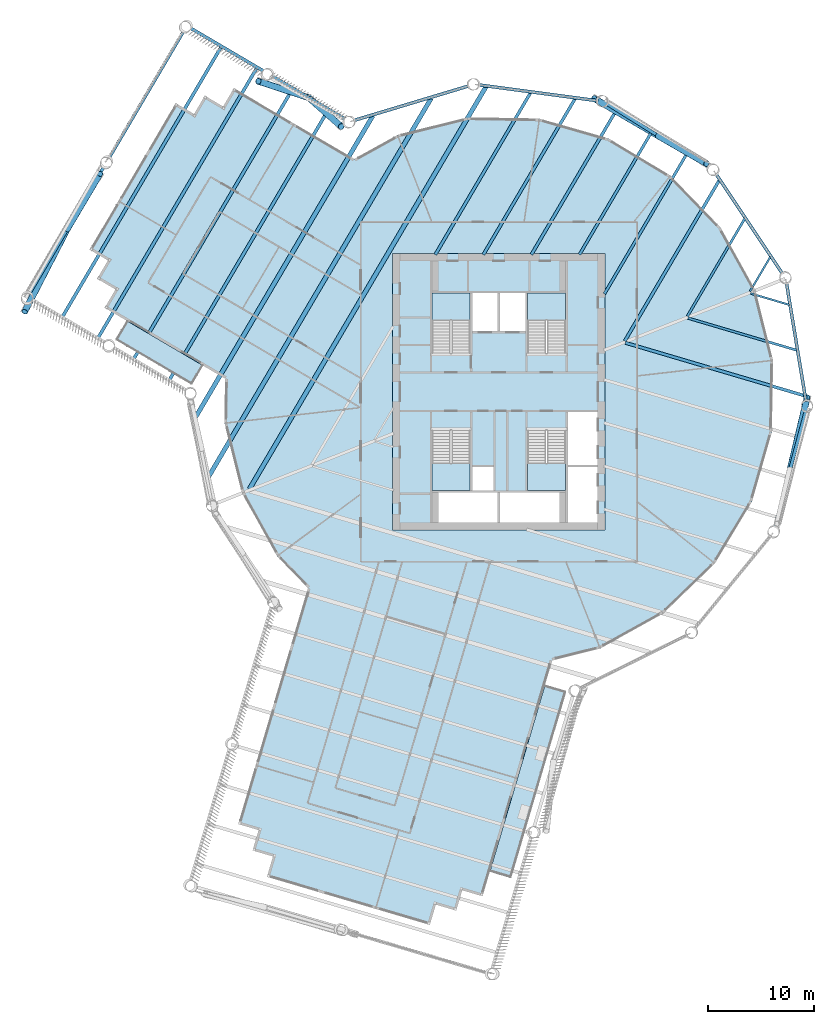
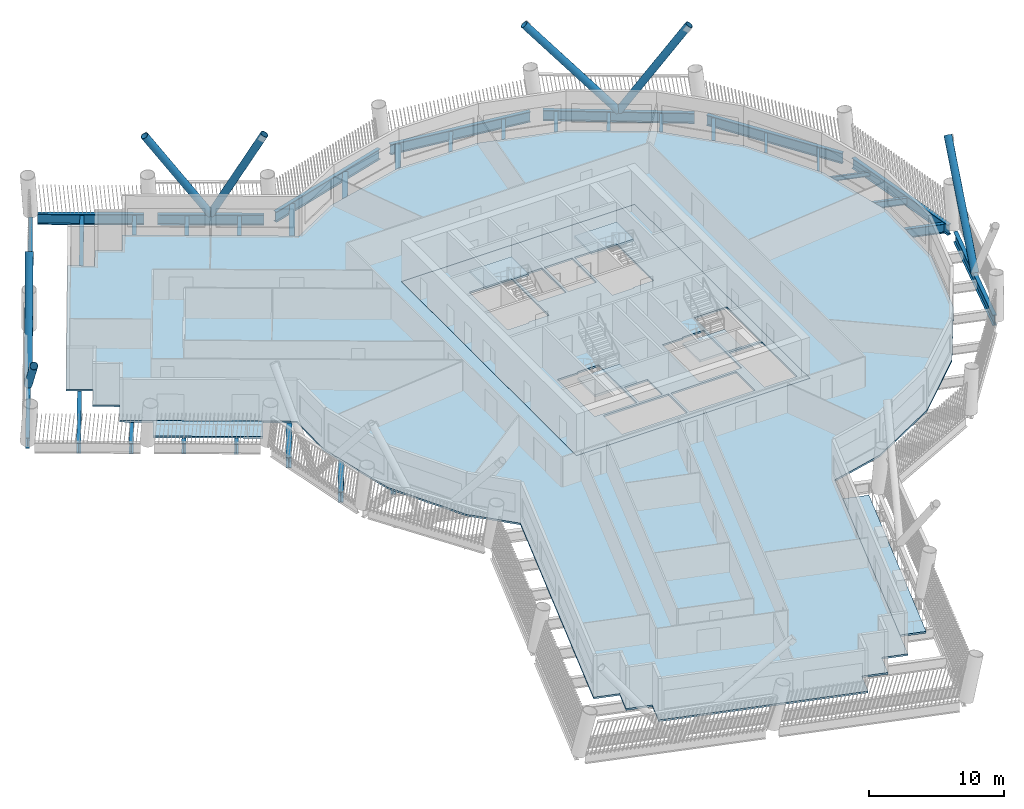
# One storey, part 2 of 23: 28 beams, 8 slabs, 7 members, 4 elements without a shape of their own.
"""IFC4 building model written with IfcOpenShell, lengths in metres."""

from ifc_helpers import new_model, si_unit, direction, frame, origin, origin_2d, place, context, subcontext, project, spatial, polyline, hollow_circle, i_section, outline, extrude, material, layer, layer_set, material_profile, profile_set, type_object, element, aggregate, save


model = new_model("IFC4")

# Units and contexts
model_context = context("Model", 3, precision=1e-05, world=origin(), true_north=direction((0.0, 1.0)))
body_context = subcontext(model_context, "Body", "Model", "MODEL_VIEW")
ifc_project = project(units=[si_unit("LENGTHUNIT", "METRE"), si_unit("AREAUNIT", "SQUARE_METRE"), si_unit("VOLUMEUNIT", "CUBIC_METRE"), si_unit("PLANEANGLEUNIT", "RADIAN"), si_unit("MASSUNIT", "GRAM", prefix="KILO")], contexts=[model_context])

# Site, building, storey
site_placement = place(None, origin())
site = spatial("IfcSite", under=ifc_project, at=site_placement, CompositionType="ELEMENT")
building_placement = place(site_placement, origin())
building = spatial("IfcBuilding", under=site, at=building_placement, Name="Tarsis Ring Headquarters", CompositionType="ELEMENT")
storey_placement = place(building_placement, frame((0.0, 0.0, 155.39990234375)))
storey = spatial("IfcBuildingStorey", under=building, at=storey_placement, Name="L35", CompositionType="ELEMENT", Elevation=155.39990234375)

# Beams
ifc_material_1 = material(Name="Structural steel S355", Category="steel")
ifc_material_profile_1 = material_profile(ifc_material_1, i_section(OverallWidth=0.177734375, OverallDepth=0.406494140625, WebThickness=0.0078125, FlangeThickness=0.0126953125, at=origin_2d()), Name="W16x40")
ifc_profile_set_1 = profile_set([ifc_material_profile_1], Name="Structural steel S355")
beam_type_1 = type_object("IfcBeamType", Name="FB Floor beam W16x40", PredefinedType="JOIST", material=ifc_profile_set_1)
beam_1_placement = place(storey_placement, frame((23.71435546875, 9.260009765625, -0.363037109375), z_axis=(0.95902563212, -0.283319319738, 0.0), x_axis=(0.283319319738, 0.95902563212, 0.0)))
element("IfcBeam", 1, at=beam_1_placement, inside=storey, type_object=beam_type_1, Name="Floor beam FB1", PredefinedType="JOIST", context=body_context, shape_type="SweptSolid", body=[
    extrude(i_section(OverallWidth=0.177734375, OverallDepth=0.406494140625, WebThickness=0.0078125, FlangeThickness=0.0126953125, at=origin_2d()), origin(), (0.0, 0.0, 1.0), 3.805419921875),
])
beam_2_placement = place(storey_placement, frame((25.574951171875, 12.7138671875, -0.363037109375), z_axis=(-0.506927594799, -0.861988638922, 0.0), x_axis=(0.861988638922, -0.506927594799, 0.0)))
element("IfcBeam", 2, at=beam_2_placement, inside=storey, type_object=beam_type_1, Name="Floor beam FB1", PredefinedType="JOIST", context=body_context, shape_type="SweptSolid", body=[
    extrude(i_section(OverallWidth=0.177734375, OverallDepth=0.406494140625, WebThickness=0.0078125, FlangeThickness=0.0126953125, at=origin_2d()), origin(), (0.0, 0.0, 1.0), 3.80517578125),
])
ifc_material_profile_2 = material_profile(ifc_material_1, i_section(OverallWidth=0.228271484375, OverallDepth=0.607177734375, WebThickness=0.01123046875, FlangeThickness=0.017333984375, at=origin_2d()), Name="W24x76")
ifc_profile_set_2 = profile_set([ifc_material_profile_2], Name="Structural steel S355")
beam_type_2 = type_object("IfcBeamType", Name="FB Floor beam W24x76", PredefinedType="JOIST", material=ifc_profile_set_2)
for number, where, z_axis, x_axis, name in (
    (3, (17.822265625, 6.934326171875, -0.46337890625), (0.959020953617, -0.283335155818, 0.0), (0.283335155818, 0.959020953617, 0.0), "Floor beam FB4"),
    (4, (23.170166015625, 16.318115234375, -0.46337890625), (-0.506942235984, -0.861980028409, 0.0), (0.861980028409, -0.506942235984, 0.0), "Floor beam FB4"),
):
    element("IfcBeam", number, at=place(storey_placement, frame(where, z_axis=z_axis, x_axis=x_axis)), inside=storey, type_object=beam_type_2, Name=name, PredefinedType="JOIST", context=body_context, shape_type="SweptSolid", body=[
        extrude(i_section(OverallWidth=0.228271484375, OverallDepth=0.607177734375, WebThickness=0.01123046875, FlangeThickness=0.017333984375, at=origin_2d()), origin(), (0.0, 0.0, 1.0), 10.6845703125),
    ])
ifc_material_profile_3 = material_profile(ifc_material_1, i_section(OverallWidth=0.2666015625, OverallDepth=0.7568359375, WebThickness=0.013916015625, FlangeThickness=0.019287109375, at=origin_2d()), Name="W30x108")
ifc_profile_set_3 = profile_set([ifc_material_profile_3], Name="Structural steel S355")
beam_type_3 = type_object("IfcBeamType", Name="FB Floor beam W30x108", PredefinedType="JOIST", material=ifc_profile_set_3)
beam_3_placement = place(storey_placement, frame((17.68212890625, 22.373046875, -0.538330078125), z_axis=(-0.506941786462, -0.861980292779, 0.0), x_axis=(0.861980292779, -0.506941786462, 0.0)))
element("IfcBeam", 5, at=beam_3_placement, inside=storey, type_object=beam_type_3, Name="Floor beam FB6", PredefinedType="JOIST", context=body_context, shape_type="SweptSolid", body=[
    extrude(i_section(OverallWidth=0.2666015625, OverallDepth=0.7568359375, WebThickness=0.013916015625, FlangeThickness=0.019287109375, at=origin_2d()), origin(), (0.0, 0.0, 1.0), 15.254150390625),
])
beam_4_placement = place(storey_placement, frame((14.371826171875, 24.437255859375, -0.538330078125), z_axis=(-0.50694270934, -0.861979750021, 0.0), x_axis=(0.861979750021, -0.50694270934, 0.0)))
element("IfcBeam", 6, at=beam_4_placement, inside=storey, type_object=beam_type_3, Name="Floor beam FB6", PredefinedType="JOIST", context=body_context, shape_type="SweptSolid", body=[
    extrude(i_section(OverallWidth=0.2666015625, OverallDepth=0.7568359375, WebThickness=0.013916015625, FlangeThickness=0.019287109375, at=origin_2d()), origin(), (0.0, 0.0, 1.0), 13.36865234375),
])
ifc_material_profile_4 = material_profile(ifc_material_1, i_section(OverallWidth=0.2919921875, OverallDepth=0.835693359375, WebThickness=0.013916015625, FlangeThickness=0.018798828125, at=origin_2d()), Name="W33x118")
ifc_profile_set_4 = profile_set([ifc_material_profile_4], Name="Structural steel S355")
beam_type_4 = type_object("IfcBeamType", Name="FB Floor beam W33x118", PredefinedType="JOIST", material=ifc_profile_set_4)
beam_5_placement = place(storey_placement, frame((11.929931640625, 4.608642578125, -0.57763671875), z_axis=(0.959017278848, -0.283347593729, 0.0), x_axis=(0.283347593729, 0.959017278848, 0.0)))
element("IfcBeam", 7, at=beam_5_placement, inside=storey, type_object=beam_type_4, Name="Floor beam FB7", PredefinedType="JOIST", context=body_context, shape_type="SweptSolid", body=[
    extrude(i_section(OverallWidth=0.2919921875, OverallDepth=0.835693359375, WebThickness=0.013916015625, FlangeThickness=0.018798828125, at=origin_2d()), origin(), (0.0, 0.0, 1.0), 17.564208984375),
])
beam_6_placement = place(storey_placement, frame((20.765380859375, 19.92236328125, -0.57763671875), z_axis=(-0.506939334025, -0.861981735084, 0.0), x_axis=(0.861981735084, -0.506939334025, 0.0)))
element("IfcBeam", 8, at=beam_6_placement, inside=storey, type_object=beam_type_4, Name="Floor beam FB7", PredefinedType="JOIST", context=body_context, shape_type="SweptSolid", body=[
    extrude(i_section(OverallWidth=0.2919921875, OverallDepth=0.835693359375, WebThickness=0.013916015625, FlangeThickness=0.018798828125, at=origin_2d()), origin(), (0.0, 0.0, 1.0), 17.564453125),
])
beam_7_placement = place(storey_placement, frame((11.061279296875, 26.501708984375, -0.57763671875), z_axis=(-0.506930103641, -0.861987163491, 0.0), x_axis=(0.861987163491, -0.506930103641, 0.0)))
element("IfcBeam", 9, at=beam_7_placement, inside=storey, type_object=beam_type_4, Name="Floor beam FB7", PredefinedType="JOIST", context=body_context, shape_type="SweptSolid", body=[
    extrude(i_section(OverallWidth=0.2919921875, OverallDepth=0.835693359375, WebThickness=0.013916015625, FlangeThickness=0.018798828125, at=origin_2d()), origin(), (0.0, 0.0, 1.0), 15.763427734375),
])
beam_8_placement = place(storey_placement, frame((7.196533203125, 27.623291015625, -0.57763671875), z_axis=(-0.506943846661, -0.861979081146, 0.0), x_axis=(0.861979081146, -0.506943846661, 0.0)))
element("IfcBeam", 10, at=beam_8_placement, inside=storey, type_object=beam_type_4, Name="Floor beam FB7", PredefinedType="JOIST", context=body_context, shape_type="SweptSolid", body=[
    extrude(i_section(OverallWidth=0.2919921875, OverallDepth=0.835693359375, WebThickness=0.013916015625, FlangeThickness=0.018798828125, at=origin_2d()), origin(), (0.0, 0.0, 1.0), 17.064697265625),
])
beam_9_placement = place(storey_placement, frame((3.00146484375, 28.183349609375, -0.57763671875), z_axis=(-0.50694242817, -0.861979915381, 0.0), x_axis=(0.861979915381, -0.50694242817, 0.0)))
element("IfcBeam", 11, at=beam_9_placement, inside=storey, type_object=beam_type_4, Name="Floor beam FB7", PredefinedType="JOIST", context=body_context, shape_type="SweptSolid", body=[
    extrude(i_section(OverallWidth=0.2919921875, OverallDepth=0.835693359375, WebThickness=0.013916015625, FlangeThickness=0.018798828125, at=origin_2d()), origin(), (0.0, 0.0, 1.0), 17.714599609375),
])
ifc_material_profile_5 = material_profile(ifc_material_1, i_section(OverallWidth=0.309814453125, OverallDepth=0.949951171875, WebThickness=0.0244140625, FlangeThickness=0.0439453125, at=origin_2d()), Name="W36x256")
ifc_profile_set_5 = profile_set([ifc_material_profile_5], Name="Structural steel S355")
beam_type_5 = type_object("IfcBeamType", Name="FB Floor beam W36x256", PredefinedType="JOIST", material=ifc_profile_set_5)
for number, where, z_axis, x_axis, name in (
    (12, (-16.057373046875, 26.54931640625, -0.635009765625), (-0.50693365454, -0.861985075216, 0.0), (0.861985075216, -0.50693365454, 0.0), "Floor beam FB11"),
    (13, (-19.419189453125, 28.5263671875, -0.635009765625), (-0.50693365454, -0.861985075216, 0.0), (0.861985075216, -0.50693365454, 0.0), "Floor beam FB11"),
    (14, (-22.78076171875, 30.50341796875, -0.635009765625), (-0.506939805775, -0.861981457643, 0.0), (0.861981457643, -0.506939805775, 0.0), "Floor beam FB11"),
    (15, (-26.142578125, 32.48046875, -0.635009765625), (-0.50693365454, -0.861985075216, 0.0), (0.861985075216, -0.50693365454, 0.0), "Floor beam FB11"),
):
    element("IfcBeam", number, at=place(storey_placement, frame(where, z_axis=z_axis, x_axis=x_axis)), inside=storey, type_object=beam_type_5, Name=name, PredefinedType="JOIST", context=body_context, shape_type="SweptSolid", body=[
        extrude(i_section(OverallWidth=0.309814453125, OverallDepth=0.949951171875, WebThickness=0.0244140625, FlangeThickness=0.0439453125, at=origin_2d()), origin(), (0.0, 0.0, 1.0), 29.489990234375),
    ])
ifc_material_profile_6 = material_profile(ifc_material_1, i_section(OverallWidth=0.42431640625, OverallDepth=0.947509765625, WebThickness=0.02392578125, FlangeThickness=0.042724609375, at=origin_2d()), Name="W36x302")
ifc_profile_set_6 = profile_set([ifc_material_profile_6], Name="Structural steel S355")
beam_type_6 = type_object("IfcBeamType", Name="FB Floor beam W36x302", PredefinedType="JOIST", material=ifc_profile_set_6)
beam_10_placement = place(storey_placement, frame((-1.193603515625, 28.743408203125, -0.633544921875), z_axis=(-0.506938866992, -0.86198200975, 0.0), x_axis=(0.86198200975, -0.506938866992, 0.0)))
element("IfcBeam", 16, at=beam_10_placement, inside=storey, type_object=beam_type_6, Name="Floor beam FB12", PredefinedType="JOIST", context=body_context, shape_type="SweptSolid", body=[
    extrude(i_section(OverallWidth=0.42431640625, OverallDepth=0.947509765625, WebThickness=0.02392578125, FlangeThickness=0.042724609375, at=origin_2d()), origin(), (0.0, 0.0, 1.0), 43.98681640625),
])
beam_11_placement = place(storey_placement, frame((-6.362548828125, 27.6474609375, -0.633544921875), z_axis=(-0.506939700127, -0.861981519776, 0.0), x_axis=(0.861981519776, -0.506939700127, 0.0)))
element("IfcBeam", 17, at=beam_11_placement, inside=storey, type_object=beam_type_6, Name="Floor beam FB12", PredefinedType="JOIST", context=body_context, shape_type="SweptSolid", body=[
    extrude(i_section(OverallWidth=0.42431640625, OverallDepth=0.947509765625, WebThickness=0.02392578125, FlangeThickness=0.042724609375, at=origin_2d()), origin(), (0.0, 0.0, 1.0), 41.523681640625),
])
beam_12_placement = place(storey_placement, frame((-11.859130859375, 25.994384765625, -0.633544921875), z_axis=(-0.506939313561, -0.861981747119, 0.0), x_axis=(0.861981747119, -0.506939313561, 0.0)))
element("IfcBeam", 18, at=beam_12_placement, inside=storey, type_object=beam_type_6, Name="Floor beam FB12", PredefinedType="JOIST", context=body_context, shape_type="SweptSolid", body=[
    extrude(i_section(OverallWidth=0.42431640625, OverallDepth=0.947509765625, WebThickness=0.02392578125, FlangeThickness=0.042724609375, at=origin_2d()), origin(), (0.0, 0.0, 1.0), 32.875244140625),
])

# Members
ifc_material_profile_7 = material_profile(ifc_material_1, hollow_circle(Radius=0.3046875, WallThickness=0.02490234375, at=origin_2d()), Name="CHS 610x25")
ifc_profile_set_7 = profile_set([ifc_material_profile_7], Name="Structural steel S355")
member_type = type_object("IfcMemberType", Name="XD X brace CHS 610x25", PredefinedType="BRACE", material=ifc_profile_set_7)
for number, where, z_axis, x_axis, name in (
    (19, (27.431396484375, -7.336669921875, 0.0), (0.153725927157, 0.650856865978, 0.743474060965), (-0.973222413822, 0.229865467686, 0.0), "X brace XD1"),
    (20, (15.024658203125, 24.094970703125, 0.0), (-0.577646541423, 0.337005084514, 0.743472962652), (-0.503920785276, -0.863749872456, 0.0), "X brace XD1"),
):
    element("IfcMember", number, at=place(storey_placement, frame(where, z_axis=z_axis, x_axis=x_axis)), inside=storey, type_object=member_type, Name=name, PredefinedType="BRACE", context=body_context, shape_type="SweptSolid", body=[
        extrude(hollow_circle(Radius=0.3046875, WallThickness=0.02490234375, at=origin_2d()), origin(), (0.0, 0.0, 1.0), 10.491455078125),
    ])
member_1_placement = place(storey_placement, frame((15.024658203125, 24.094970703125, 0.0), z_axis=(0.48250372935, -0.278486503058, 0.830442905188), x_axis=(0.499882663179, 0.866093137632, 0.0)))
element("IfcMember", 21, at=member_1_placement, inside=storey, type_object=member_type, Name="X brace XD1", PredefinedType="BRACE", context=body_context, shape_type="SweptSolid", body=[
    extrude(hollow_circle(Radius=0.3046875, WallThickness=0.02490234375, at=origin_2d()), origin(), (0.0, 0.0, 1.0), 9.392578125),
])
member_2_placement = place(storey_placement, frame((-17.8798828125, 27.684814453125, 0.0), z_axis=(-0.514015255527, 0.168179136053, 0.841132626452), x_axis=(-0.310965509482, -0.950421197108, 0.0)))
element("IfcMember", 22, at=member_2_placement, inside=storey, type_object=member_type, Name="X brace XD1", PredefinedType="BRACE", context=body_context, shape_type="SweptSolid", body=[
    extrude(hollow_circle(Radius=0.3046875, WallThickness=0.02490234375, at=origin_2d()), origin(), (0.0, 0.0, 1.0), 9.273193359375),
])
member_3_placement = place(storey_placement, frame((-17.8798828125, 27.684814453125, 0.0), z_axis=(0.345977664784, -0.30791790243, 0.886276492317), x_axis=(0.664824690631, 0.746999418157, 0.0)))
element("IfcMember", 23, at=member_3_placement, inside=storey, type_object=member_type, Name="X brace XD1", PredefinedType="BRACE", context=body_context, shape_type="SweptSolid", body=[
    extrude(hollow_circle(Radius=0.3046875, WallThickness=0.02490234375, at=origin_2d()), origin(), (0.0, 0.0, 1.0), 8.801025390625),
])
member_4_placement = place(storey_placement, frame((-40.644287109375, 15.318115234375, 0.0), z_axis=(-0.342102888202, -0.663482997044, 0.665399073126), x_axis=(0.888806186064, -0.458283278786, 0.0)))
element("IfcMember", 24, at=member_4_placement, inside=storey, type_object=member_type, Name="X brace XD1", PredefinedType="BRACE", context=body_context, shape_type="SweptSolid", body=[
    extrude(hollow_circle(Radius=0.3046875, WallThickness=0.02490234375, at=origin_2d()), origin(), (0.0, 0.0, 1.0), 11.722412109375),
])
member_5_placement = place(storey_placement, frame((-40.644287109375, 15.318115234375, 0.0), z_axis=(0.312726075998, 0.527522830545, 0.789887374658), x_axis=(-0.860205733951, 0.509947149494, 0.0)))
element("IfcMember", 25, at=member_5_placement, inside=storey, type_object=member_type, Name="X brace XD1", PredefinedType="BRACE", context=body_context, shape_type="SweptSolid", body=[
    extrude(hollow_circle(Radius=0.3046875, WallThickness=0.02490234375, at=origin_2d()), origin(), (0.0, 0.0, 1.0), 9.875),
])

# Beams
beam_type_7 = type_object("IfcBeamType", Name="XG Ring girder W36x256", PredefinedType="BEAM", material=ifc_profile_set_5)
beam_13_placement = place(storey_placement, frame((25.97900390625, -12.767333984375, -0.474853515625), z_axis=(0.258362682472, 0.966047992755, 0.0), x_axis=(-0.966047992755, 0.258362682472, 0.0)))
element("IfcBeam", 26, at=beam_13_placement, inside=storey, type_object=beam_type_7, Name="Ring girder XG2", PredefinedType="BEAM", context=body_context, shape_type="SweptSolid", body=[
    extrude(i_section(OverallWidth=0.309814453125, OverallDepth=0.949951171875, WebThickness=0.0244140625, FlangeThickness=0.0439453125, at=origin_2d()), origin(), (0.0, 0.0, 1.0), 11.2431640625),
])
beam_14_placement = place(storey_placement, frame((28.931884765625, -0.924072265625, -0.474853515625), z_axis=(-0.162796563358, 0.986659657105, 0.0), x_axis=(-0.986659657105, -0.162796563358, 0.0)))
element("IfcBeam", 27, at=beam_14_placement, inside=storey, type_object=beam_type_7, Name="Ring girder XG2", PredefinedType="BEAM", context=body_context, shape_type="SweptSolid", body=[
    extrude(i_section(OverallWidth=0.309814453125, OverallDepth=0.949951171875, WebThickness=0.0244140625, FlangeThickness=0.0439453125, at=origin_2d()), origin(), (0.0, 0.0, 1.0), 11.242919921875),
])
for number, where, z_axis, x_axis, name in (
    (28, (26.74072265625, 11.08349609375, -0.474853515625), (-0.555005834854, 0.831846454148, 0.0), (-0.831846454148, -0.555005834854, 0.0), "Ring girder XG2"),
    (29, (19.794921875, 21.120361328125, -0.474853515625), (-0.848545598513, 0.52912226115, 0.0), (-0.52912226115, -0.848545598513, 0.0), "Ring girder XG2"),
):
    element("IfcBeam", number, at=place(storey_placement, frame(where, z_axis=z_axis, x_axis=x_axis)), inside=storey, type_object=beam_type_7, Name=name, PredefinedType="BEAM", context=body_context, shape_type="SweptSolid", body=[
        extrude(i_section(OverallWidth=0.309814453125, OverallDepth=0.949951171875, WebThickness=0.0244140625, FlangeThickness=0.0439453125, at=origin_2d()), origin(), (0.0, 0.0, 1.0), 11.2431640625),
    ])
beam_15_placement = place(storey_placement, frame((9.329345703125, 27.402099609375, -0.474853515625), z_axis=(-0.99120835573, 0.132310224586, 0.0), x_axis=(-0.132310224586, -0.99120835573, 0.0)))
element("IfcBeam", 30, at=beam_15_placement, inside=storey, type_object=beam_type_7, Name="Ring girder XG2", PredefinedType="BEAM", context=body_context, shape_type="SweptSolid", body=[
    extrude(i_section(OverallWidth=0.309814453125, OverallDepth=0.949951171875, WebThickness=0.0244140625, FlangeThickness=0.0439453125, at=origin_2d()), origin(), (0.0, 0.0, 1.0), 11.242919921875),
])
beam_16_placement = place(storey_placement, frame((-2.794921875, 28.8115234375, -0.474853515625), z_axis=(-0.957622842974, -0.288025156218, 0.0), x_axis=(0.288025156218, -0.957622842974, 0.0)))
element("IfcBeam", 31, at=beam_16_placement, inside=storey, type_object=beam_type_7, Name="Ring girder XG2", PredefinedType="BEAM", context=body_context, shape_type="SweptSolid", body=[
    extrude(i_section(OverallWidth=0.309814453125, OverallDepth=0.949951171875, WebThickness=0.0244140625, FlangeThickness=0.0439453125, at=origin_2d()), origin(), (0.0, 0.0, 1.0), 11.2431640625),
])
for number, where, z_axis, x_axis, name in (
    (32, (-14.4765625, 25.683349609375, -0.474853515625), (-0.861974746673, 0.506951216685, 0.0), (-0.506951216685, -0.861974746673, 0.0), "Ring girder XG2"),
    (33, (-22.150146484375, 30.1962890625, -0.474853515625), (-0.8619882568, 0.506928244566, 0.0), (-0.506928244566, -0.8619882568, 0.0), "Ring girder XG2"),
):
    element("IfcBeam", number, at=place(storey_placement, frame(where, z_axis=z_axis, x_axis=x_axis)), inside=storey, type_object=beam_type_7, Name=name, PredefinedType="BEAM", context=body_context, shape_type="SweptSolid", body=[
        extrude(i_section(OverallWidth=0.309814453125, OverallDepth=0.949951171875, WebThickness=0.0244140625, FlangeThickness=0.0439453125, at=origin_2d()), origin(), (0.0, 0.0, 1.0), 7.896484375),
    ])
for number, where, z_axis, x_axis, name in (
    (34, (-29.645263671875, 34.020751953125, -0.474853515625), (-0.506930401122, -0.861986988543, 0.0), (0.861986988543, -0.506930401122, 0.0), "Ring girder XG2"),
    (35, (-37.14794921875, 21.263427734375, -0.474853515625), (-0.506930401122, -0.861986988543, 0.0), (0.861986988543, -0.506930401122, 0.0), "Ring girder XG2"),
):
    element("IfcBeam", number, at=place(storey_placement, frame(where, z_axis=z_axis, x_axis=x_axis)), inside=storey, type_object=beam_type_7, Name=name, PredefinedType="BEAM", context=body_context, shape_type="SweptSolid", body=[
        extrude(i_section(OverallWidth=0.309814453125, OverallDepth=0.949951171875, WebThickness=0.0244140625, FlangeThickness=0.0439453125, at=origin_2d()), origin(), (0.0, 0.0, 1.0), 13.794189453125),
    ])

# Slabs
ifc_material_2 = material(Name="Concrete C40/50", Category="concrete")
ifc_layer_1 = layer(ifc_material_2, 0.159912109375)
ifc_layer_set_1 = layer_set([ifc_layer_1], Name="Balcony slab concrete C40/50")
slab_type_1 = type_object("IfcSlabType", Name="Balcony slab concrete C40/50", PredefinedType="FLOOR", material=ifc_layer_set_1)
slab_1_placement = place(storey_placement, frame((0.0, 0.0, -0.159912109375)))
element("IfcSlab", 36, at=slab_1_placement, inside=storey, type_object=slab_type_1, Name="Balcony slab L35-01", PredefinedType="FLOOR", context=body_context, shape_type="SweptSolid", body=[
    extrude(outline(polyline([(-34.959716796875, 6.638671875), (-35.9736328125, 4.91455078125), (-28.929443359375, 0.77197265625), (-27.91552734375, 2.495849609375), (-34.959716796875, 6.638671875)])), origin(), (0.0, 0.0, 1.0), 0.159912109375),
])
slab_2_placement = place(storey_placement, frame((0.0, 0.0, -0.159912109375)))
element("IfcSlab", 37, at=slab_2_placement, inside=storey, type_object=slab_type_1, Name="Balcony slab L35-16", PredefinedType="FLOOR", context=body_context, shape_type="SweptSolid", body=[
    extrude(outline(polyline([(-0.8173828125, -45.117431640625), (1.1005859375, -45.68408203125), (6.243896484375, -28.276611328125), (4.32568359375, -27.7099609375), (-0.8173828125, -45.117431640625)])), origin(), (0.0, 0.0, 1.0), 0.159912109375),
])
ifc_layer_2 = layer(ifc_material_2, 0.159912109375)
ifc_layer_set_2 = layer_set([ifc_layer_2], Name="Core floor slab 160 C40/50")
slab_type_2 = type_object("IfcSlabType", Name="Core floor slab 160 C40/50", PredefinedType="FLOOR", material=ifc_layer_set_2)
slab_3_placement = place(storey_placement, frame((0.0, 0.0, -0.159912109375)))
element("IfcSlab", 38, at=slab_3_placement, inside=storey, type_object=slab_type_2, Name="L35 core floor slab", PredefinedType="FLOOR", context=body_context, shape_type="SweptSolid", body=[
    extrude(outline(polyline([(-10.0, -13.0), (10.0, -13.0), (10.0, 13.0), (-10.0, 13.0), (-10.0, -13.0)]), holes=[polyline([(-2.5, 5.699951171875), (-0.10009765625, 5.699951171875), (-0.10009765625, 9.300048828125), (-2.5, 9.300048828125), (-2.5, 5.699951171875)]), polyline([(0.10009765625, 5.699951171875), (2.5, 5.699951171875), (2.5, 9.300048828125), (0.10009765625, 9.300048828125), (0.10009765625, 5.699951171875)]), polyline([(6.5, -12.300048828125), (9.300048828125, -12.300048828125), (9.300048828125, -7.10009765625), (6.5, -7.10009765625), (6.5, -12.300048828125)]), polyline([(6.5, -6.89990234375), (9.300048828125, -6.89990234375), (9.300048828125, -1.89990234375), (6.5, -1.89990234375), (6.5, -6.89990234375)]), polyline([(-5.699951171875, -12.300048828125), (-0.10009765625, -12.300048828125), (-0.10009765625, -9.5), (-5.699951171875, -9.5), (-5.699951171875, -12.300048828125)]), polyline([(0.10009765625, -12.300048828125), (5.699951171875, -12.300048828125), (5.699951171875, -9.5), (0.10009765625, -9.5), (0.10009765625, -12.300048828125)]), polyline([(-2.5, -9.300048828125), (-0.5, -9.300048828125), (-0.5, -7.10009765625), (-2.5, -7.10009765625), (-2.5, -9.300048828125)]), polyline([(-2.699951171875, 3.760009765625), (-2.699951171875, 9.300048828125), (-6.300048828125, 9.300048828125), (-6.300048828125, 3.659912109375), (-4.4599609375, 3.659912109375), (-4.4599609375, 3.760009765625), (-2.699951171875, 3.760009765625)]), polyline([(6.300048828125, 3.760009765625), (6.300048828125, 9.300048828125), (2.699951171875, 9.300048828125), (2.699951171875, 3.659912109375), (4.5400390625, 3.659912109375), (4.5400390625, 3.760009765625), (6.300048828125, 3.760009765625)]), polyline([(-6.300048828125, -3.760009765625), (-6.300048828125, -9.300048828125), (-2.699951171875, -9.300048828125), (-2.699951171875, -3.659912109375), (-4.5400390625, -3.659912109375), (-4.5400390625, -3.760009765625), (-6.300048828125, -3.760009765625)]), polyline([(2.699951171875, -3.760009765625), (2.699951171875, -9.300048828125), (6.300048828125, -9.300048828125), (6.300048828125, -3.659912109375), (4.4599609375, -3.659912109375), (4.4599609375, -3.760009765625), (2.699951171875, -3.760009765625)])]), origin(), (0.0, 0.0, 1.0), 0.159912109375),
])

# Stair, slab
ifc_material_3 = material(Name="Core stair 1760")
stair_type = type_object("IfcStairType", Name="Core stair 1760", PredefinedType="HALF_TURN_STAIR", material=ifc_material_3)
stair_1_placement = place(storey_placement, origin())
stair_1 = element("IfcStair", 39, at=stair_1_placement, inside=storey, type_object=stair_type, Name="L35 Firefighting stair", PredefinedType="HALF_TURN_STAIR")
ifc_layer_3 = layer(ifc_material_2, 0.199951171875)
ifc_layer_set_3 = layer_set([ifc_layer_3], Name="Core stair landing 200")
slab_type_3 = type_object("IfcSlabType", Name="Core stair landing 200", PredefinedType="LANDING", material=ifc_layer_set_3)
slab_4_placement = place(storey_placement, frame((0.0, 0.0, 1.75)))
slab_4 = element("IfcSlab", 40, at=slab_4_placement, type_object=slab_type_3, Name="Stair ST1 landing 1", PredefinedType="LANDING", context=body_context, shape_type="SweptSolid", body=[
    extrude(outline(polyline([(-2.699951171875, 6.739990234375), (-2.699951171875, 9.300048828125), (-6.300048828125, 9.300048828125), (-6.300048828125, 6.739990234375), (-2.699951171875, 6.739990234375)])), origin(), (0.0, 0.0, 1.0), 0.2001953125),
])
aggregate(stair_1, [slab_4])

stair_2_placement = place(storey_placement, origin())
stair_2 = element("IfcStair", 41, at=stair_2_placement, inside=storey, type_object=stair_type, Name="L35 Exit stair B", PredefinedType="HALF_TURN_STAIR")
slab_5_placement = place(storey_placement, frame((0.0, 0.0, 1.75)))
slab_5 = element("IfcSlab", 42, at=slab_5_placement, type_object=slab_type_3, Name="Stair ST2 landing 1", PredefinedType="LANDING", context=body_context, shape_type="SweptSolid", body=[
    extrude(outline(polyline([(6.300048828125, 6.739990234375), (6.300048828125, 9.300048828125), (2.699951171875, 9.300048828125), (2.699951171875, 6.739990234375), (6.300048828125, 6.739990234375)])), origin(), (0.0, 0.0, 1.0), 0.2001953125),
])
aggregate(stair_2, [slab_5])

stair_3_placement = place(storey_placement, origin())
stair_3 = element("IfcStair", 43, at=stair_3_placement, inside=storey, type_object=stair_type, Name="L35 Exit stair C", PredefinedType="HALF_TURN_STAIR")
slab_6_placement = place(storey_placement, frame((0.0, 0.0, 1.75)))
slab_6 = element("IfcSlab", 44, at=slab_6_placement, type_object=slab_type_3, Name="Stair ST3 landing 1", PredefinedType="LANDING", context=body_context, shape_type="SweptSolid", body=[
    extrude(outline(polyline([(-6.300048828125, -6.739990234375), (-6.300048828125, -9.300048828125), (-2.699951171875, -9.300048828125), (-2.699951171875, -6.739990234375), (-6.300048828125, -6.739990234375)])), origin(), (0.0, 0.0, 1.0), 0.2001953125),
])
aggregate(stair_3, [slab_6])

stair_4_placement = place(storey_placement, origin())
stair_4 = element("IfcStair", 45, at=stair_4_placement, inside=storey, type_object=stair_type, Name="L35 Exit stair D", PredefinedType="HALF_TURN_STAIR")
slab_7_placement = place(storey_placement, frame((0.0, 0.0, 1.75)))
slab_7 = element("IfcSlab", 46, at=slab_7_placement, type_object=slab_type_3, Name="Stair ST4 landing 1", PredefinedType="LANDING", context=body_context, shape_type="SweptSolid", body=[
    extrude(outline(polyline([(2.699951171875, -6.739990234375), (2.699951171875, -9.300048828125), (6.300048828125, -9.300048828125), (6.300048828125, -6.739990234375), (2.699951171875, -6.739990234375)])), origin(), (0.0, 0.0, 1.0), 0.2001953125),
])
aggregate(stair_4, [slab_7])

# Slab
ifc_material_4 = material(Name="Concrete C35/45", Category="concrete")
ifc_layer_4 = layer(ifc_material_4, 0.159912109375)
ifc_layer_set_4 = layer_set([ifc_layer_4], Name="FS Composite floor slab 160")
slab_type_4 = type_object("IfcSlabType", Name="FS Composite floor slab 160", PredefinedType="FLOOR", material=ifc_layer_set_4)
slab_8_placement = place(storey_placement, frame((0.0, 0.0, -0.159912109375)))
element("IfcSlab", 47, at=slab_8_placement, inside=storey, type_object=slab_type_4, Name="Floor slab L35", PredefinedType="FLOOR", context=body_context, shape_type="SweptSolid", body=[
    extrude(outline(polyline([(-25.760498046875, 1.228515625), (-25.830810546875, -2.96142578125), (-24.18408203125, -9.5458984375), (-20.889404296875, -15.47998046875), (-17.976318359375, -18.492431640625), (-24.542236328125, -40.714599609375), (-22.6240234375, -41.28125), (-23.190673828125, -43.199462890625), (-21.272705078125, -43.76611328125), (-21.83935546875, -45.68408203125), (-6.4951171875, -50.2177734375), (-5.928466796875, -48.299560546875), (-4.010498046875, -48.8662109375), (-3.44384765625, -46.9482421875), (-1.525634765625, -47.514892578125), (5.0341796875, -25.3125), (9.5458984375, -24.18408203125), (15.47998046875, -20.889404296875), (20.359130859375, -16.171142578125), (23.850830078125, -10.350830078125), (25.717041015625, -3.8251953125), (25.830810546875, 2.96142578125), (24.18408203125, 9.5458984375), (20.889404296875, 15.47998046875), (16.171142578125, 20.359130859375), (10.350830078125, 23.850830078125), (3.8251953125, 25.717041015625), (-2.96142578125, 25.830810546875), (-9.5458984375, 24.18408203125), (-13.612060546875, 21.9267578125), (-24.9482421875, 28.593505859375), (-25.9619140625, 26.86962890625), (-27.68603515625, 27.883544921875), (-28.699951171875, 26.159423828125), (-30.423828125, 27.17333984375), (-38.534912109375, 13.381591796875), (-36.810791015625, 12.36767578125), (-37.82470703125, 10.643798828125), (-36.100830078125, 9.6298828125), (-37.11474609375, 7.906005859375), (-25.760498046875, 1.228515625)]), holes=[polyline([(-10.0, -13.0), (-10.0, 13.0), (10.0, 13.0), (10.0, -13.0), (-10.0, -13.0)])]), origin(), (0.0, 0.0, 1.0), 0.159912109375),
])

save(model, "model.ifc")
